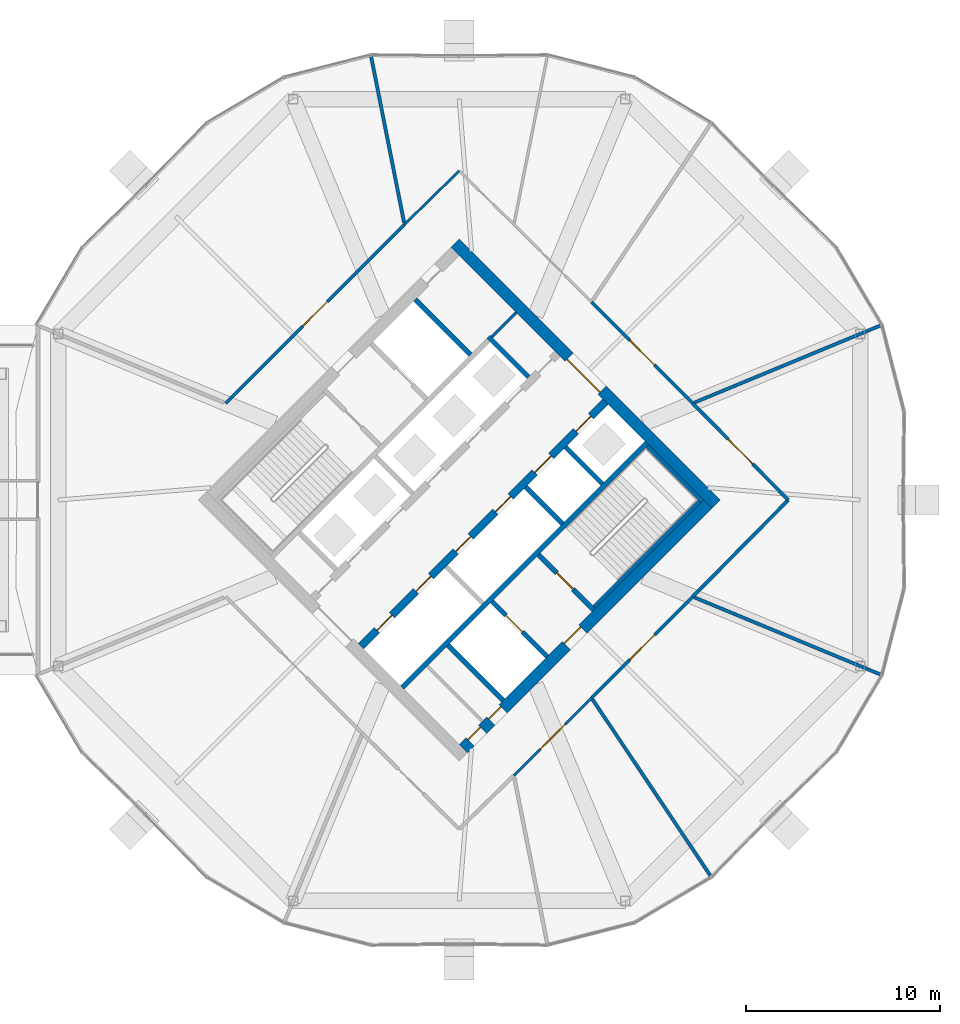
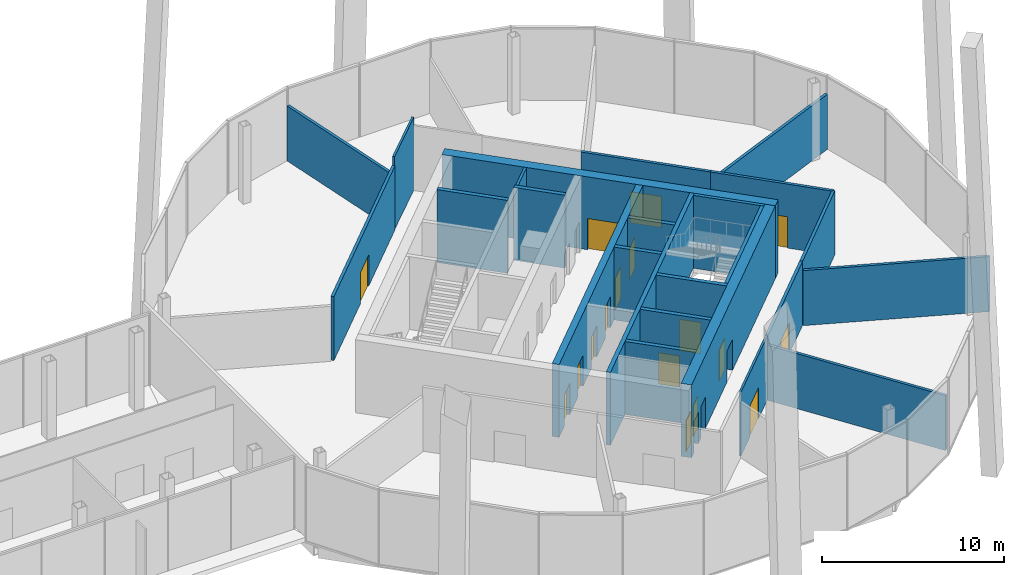
# One storey, part 23 of 28: 25 walls, 17 doors, 17 openings.
"""IFC4 building model written with IfcOpenShell, lengths in metres."""

from ifc_helpers import new_model, si_unit, direction, frame, frame_2d, origin, place, context, subcontext, project, spatial, rectangle, extrude, material, layer, layer_set, type_object, element, fill, save


model = new_model("IFC4")

# Units and contexts
model_context = context("Model", 3, precision=1e-05, world=origin(), true_north=direction((0.0, 1.0)))
body_context = subcontext(model_context, "Body", "Model", "MODEL_VIEW")
ifc_project = project(units=[si_unit("LENGTHUNIT", "METRE"), si_unit("AREAUNIT", "SQUARE_METRE"), si_unit("VOLUMEUNIT", "CUBIC_METRE"), si_unit("PLANEANGLEUNIT", "RADIAN"), si_unit("MASSUNIT", "GRAM", prefix="KILO")], contexts=[model_context])

# Site, building, storey
site_placement = place(None, origin())
site = spatial("IfcSite", under=ifc_project, at=site_placement, CompositionType="ELEMENT")
building_placement = place(site_placement, origin())
building = spatial("IfcBuilding", under=site, at=building_placement, Name="Ogive Gate Towers", CompositionType="ELEMENT")
storey_placement = place(building_placement, frame((0.0, 0.0, 135.60009765625)))
storey = spatial("IfcBuildingStorey", under=building, at=storey_placement, Name="L32", CompositionType="ELEMENT", Elevation=135.60009765625)

# Walls
ifc_material_1 = material(Name="Gypsum board acoustic partition")
ifc_layer_1 = layer(ifc_material_1, 0.175048828125)
ifc_layer_set_1 = layer_set([ifc_layer_1], Name="Acoustic partition 175")
wall_type_1 = type_object("IfcWallType", Name="Acoustic partition 175", PredefinedType="PARTITIONING", material=ifc_layer_set_1)
wall_1_placement = place(storey_placement, frame((57.68359375, 8.9814453125, 0.0), z_axis=(0.0, 0.0, 1.0), x_axis=(-0.923888303382, -0.382662256924, 0.0)))
element("IfcWall", 1, at=wall_1_placement, inside=storey, type_object=wall_type_1, Name="Partition T2-L32-001", PredefinedType="PARTITIONING", context=body_context, shape_type="SweptSolid", body=[
    extrude(rectangle(XDim=10.371337890625, YDim=0.175048828125, at=frame_2d((5.185546875, 0.0))), origin(), (0.0, 0.0, 1.0), 3.699951171875),
])
wall_2_placement = place(storey_placement, frame((31.468017578125, 22.823974609375, 0.0), z_axis=(0.0, 0.0, 1.0), x_axis=(0.194748585068, -0.980853194221, 0.0)))
element("IfcWall", 2, at=wall_2_placement, inside=storey, type_object=wall_type_1, Name="Partition T2-L32-004", PredefinedType="PARTITIONING", context=body_context, shape_type="SweptSolid", body=[
    extrude(rectangle(XDim=8.721435546875, YDim=0.175048828125, at=frame_2d((4.36083984375, 0.0))), origin(), (0.0, 0.0, 1.0), 3.699951171875),
])
wall_3_placement = place(storey_placement, frame((48.934326171875, -19.343505859375, 0.0), z_axis=(0.0, 0.0, 1.0), x_axis=(-0.555865521745, 0.831272230822, 0.0)))
element("IfcWall", 3, at=wall_3_placement, inside=storey, type_object=wall_type_1, Name="Partition T2-L32-009", PredefinedType="PARTITIONING", context=body_context, shape_type="SweptSolid", body=[
    extrude(rectangle(XDim=10.92138671875, YDim=0.175048828125, at=frame_2d((5.460693359375, 0.0))), origin(), (0.0, 0.0, 1.0), 3.699951171875),
])
wall_4_placement = place(storey_placement, frame((57.68359375, -8.9814453125, 0.0), z_axis=(0.0, 0.0, 1.0), x_axis=(-0.923888303382, 0.382662256924, 0.0)))
element("IfcWall", 4, at=wall_4_placement, inside=storey, type_object=wall_type_1, Name="Partition T2-L32-010", PredefinedType="PARTITIONING", context=body_context, shape_type="SweptSolid", body=[
    extrude(rectangle(XDim=10.371337890625, YDim=0.175048828125, at=frame_2d((5.185546875, 0.0))), origin(), (0.0, 0.0, 1.0), 3.699951171875),
])

# Wall, opening, door
wall_5_placement = place(storey_placement, frame((42.81494140625, -10.19189453125, 0.0), z_axis=(0.0, 0.0, 1.0), x_axis=(0.706609507561, 0.707603705349, 0.0)))
wall_5 = element("IfcWall", 5, at=wall_5_placement, inside=storey, type_object=wall_type_1, Name="Partition T2-L32-015", PredefinedType="PARTITIONING", context=body_context, shape_type="SweptSolid", body=[
    extrude(rectangle(XDim=7.366943359375, YDim=0.175048828125, at=frame_2d((3.68359375, 0.0))), origin(), (0.0, 0.0, 1.0), 4.2998046875),
])
opening_1_placement = place(wall_5_placement, frame((2.783935546875, 0.0, 0.0)))
opening_1 = element("IfcOpeningElement", 6, at=opening_1_placement, cuts=wall_5, Name="Opening T2-L32-D04", PredefinedType="OPENING", context=body_context, shape_type="SweptSolid", body=[
    extrude(rectangle(XDim=1.800048828125, YDim=2.10009765625, at=frame_2d((0.89990234375, 1.050048828125))), frame((0.0, 0.09765625, 0.0), z_axis=(0.0, -1.0, 0.0), x_axis=(1.0, 0.0, 0.0)), (0.0, 0.0, 1.0), 0.195068359375),
])
ifc_material_2 = material(Name="Timber door", Category="wood")
door_type_1 = type_object("IfcDoorType", Name="Door pair 1800", OperationType="NOTDEFINED", PredefinedType="DOOR", material=ifc_material_2)
door_1_placement = place(opening_1_placement, origin())
door_1 = element("IfcDoor", 7, at=door_1_placement, inside=storey, type_object=door_type_1, Name="Door T2-L32-D04", OperationType="DOUBLE_DOOR_DOUBLE_SWING", OverallHeight=2.10009765625, OverallWidth=1.800048828125, PredefinedType="DOOR", context=body_context, shape_type="SweptSolid", body=[
    extrude(rectangle(XDim=1.800048828125, YDim=2.10009765625, at=frame_2d((0.89990234375, 1.050048828125))), frame((0.0, 0.02490234375, 0.0), z_axis=(0.0, -1.0, 0.0), x_axis=(1.0, 0.0, 0.0)), (0.0, 0.0, 1.0), 0.050048828125),
])
fill(opening_1, door_1)

wall_6_placement = place(storey_placement, frame((52.9423828125, 0.0, 0.0), z_axis=(0.0, 0.0, 1.0), x_axis=(-0.703015012478, 0.711175008159, 0.0)))
wall_6 = element("IfcWall", 8, at=wall_6_placement, inside=storey, type_object=wall_type_1, Name="Partition T2-L32-016", PredefinedType="PARTITIONING", context=body_context, shape_type="SweptSolid", body=[
    extrude(rectangle(XDim=7.0009765625, YDim=0.175048828125, at=frame_2d((3.50048828125, 0.0))), origin(), (0.0, 0.0, 1.0), 4.2998046875),
])
opening_2_placement = place(wall_6_placement, frame((2.60009765625, 0.0, 0.0)))
opening_2 = element("IfcOpeningElement", 9, at=opening_2_placement, cuts=wall_6, Name="Opening T2-L32-D05", PredefinedType="OPENING", context=body_context, shape_type="SweptSolid", body=[
    extrude(rectangle(XDim=1.800048828125, YDim=2.10009765625, at=frame_2d((0.89990234375, 1.050048828125))), frame((0.0, 0.09765625, 0.0), z_axis=(0.0, -1.0, 0.0), x_axis=(1.0, 0.0, 0.0)), (0.0, 0.0, 1.0), 0.195068359375),
])
door_2_placement = place(opening_2_placement, origin())
door_2 = element("IfcDoor", 10, at=door_2_placement, inside=storey, type_object=door_type_1, Name="Door T2-L32-D05", OperationType="DOUBLE_DOOR_DOUBLE_SWING", OverallHeight=2.10009765625, OverallWidth=1.800048828125, PredefinedType="DOOR", context=body_context, shape_type="SweptSolid", body=[
    extrude(rectangle(XDim=1.800048828125, YDim=2.10009765625, at=frame_2d((0.89990234375, 1.050048828125))), frame((0.0, 0.02490234375, 0.0), z_axis=(0.0, -1.0, 0.0), x_axis=(1.0, 0.0, 0.0)), (0.0, 0.0, 1.0), 0.050048828125),
])
fill(opening_2, door_2)

# Wall
wall_7_placement = place(storey_placement, frame((48.0205078125, -4.97900390625, 0.0), z_axis=(0.0, 0.0, 1.0), x_axis=(0.703015012478, 0.711175008159, 0.0)))
element("IfcWall", 11, at=wall_7_placement, inside=storey, type_object=wall_type_1, Name="Partition T2-L32-017", PredefinedType="PARTITIONING", context=body_context, shape_type="SweptSolid", body=[
    extrude(rectangle(XDim=7.0009765625, YDim=0.175048828125, at=frame_2d((3.50048828125, 0.0))), origin(), (0.0, 0.0, 1.0), 4.2998046875),
])

# Wall, opening, door
wall_8_placement = place(storey_placement, frame((48.0205078125, 4.97900390625, 0.0), z_axis=(0.0, 0.0, 1.0), x_axis=(-0.706609507561, 0.707603705349, 0.0)))
wall_8 = element("IfcWall", 12, at=wall_8_placement, inside=storey, type_object=wall_type_1, Name="Partition T2-L32-018", PredefinedType="PARTITIONING", context=body_context, shape_type="SweptSolid", body=[
    extrude(rectangle(XDim=7.366943359375, YDim=0.175048828125, at=frame_2d((3.68359375, 0.0))), origin(), (0.0, 0.0, 1.0), 4.2998046875),
])
opening_3_placement = place(wall_8_placement, frame((2.783935546875, 0.0, 0.0)))
opening_3 = element("IfcOpeningElement", 13, at=opening_3_placement, cuts=wall_8, Name="Opening T2-L32-D06", PredefinedType="OPENING", context=body_context, shape_type="SweptSolid", body=[
    extrude(rectangle(XDim=1.800048828125, YDim=2.10009765625, at=frame_2d((0.89990234375, 1.050048828125))), frame((0.0, 0.09765625, 0.0), z_axis=(0.0, -1.0, 0.0), x_axis=(1.0, 0.0, 0.0)), (0.0, 0.0, 1.0), 0.195068359375),
])
door_3_placement = place(opening_3_placement, origin())
door_3 = element("IfcDoor", 14, at=door_3_placement, inside=storey, type_object=door_type_1, Name="Door T2-L32-D06", OperationType="DOUBLE_DOOR_DOUBLE_SWING", OverallHeight=2.10009765625, OverallWidth=1.800048828125, PredefinedType="DOOR", context=body_context, shape_type="SweptSolid", body=[
    extrude(rectangle(XDim=1.800048828125, YDim=2.10009765625, at=frame_2d((0.89990234375, 1.050048828125))), frame((0.0, 0.02490234375, 0.0), z_axis=(0.0, -1.0, 0.0), x_axis=(1.0, 0.0, 0.0)), (0.0, 0.0, 1.0), 0.050048828125),
])
fill(opening_3, door_3)

wall_9_placement = place(storey_placement, frame((33.18359375, 14.18359375, 0.0), z_axis=(0.0, 0.0, 1.0), x_axis=(-0.707088025287, -0.707125536588, 0.0)))
wall_9 = element("IfcWall", 15, at=wall_9_placement, inside=storey, type_object=wall_type_1, Name="Partition T2-L32-022", PredefinedType="PARTITIONING", context=body_context, shape_type="SweptSolid", body=[
    extrude(rectangle(XDim=13.016845703125, YDim=0.175048828125, at=frame_2d((6.50830078125, 0.0))), origin(), (0.0, 0.0, 1.0), 4.2998046875),
])
opening_4_placement = place(wall_9_placement, frame((5.60791015625, 0.0, 0.0)))
opening_4 = element("IfcOpeningElement", 16, at=opening_4_placement, cuts=wall_9, Name="Opening T2-L32-D09", PredefinedType="OPENING", context=body_context, shape_type="SweptSolid", body=[
    extrude(rectangle(XDim=1.800048828125, YDim=2.10009765625, at=frame_2d((0.89990234375, 1.050048828125))), frame((0.0, 0.09765625, 0.0), z_axis=(0.0, -1.0, 0.0), x_axis=(1.0, 0.0, 0.0)), (0.0, 0.0, 1.0), 0.195068359375),
])
door_4_placement = place(opening_4_placement, origin())
door_4 = element("IfcDoor", 17, at=door_4_placement, inside=storey, type_object=door_type_1, Name="Door T2-L32-D09", OperationType="DOUBLE_DOOR_DOUBLE_SWING", OverallHeight=2.10009765625, OverallWidth=1.800048828125, PredefinedType="DOOR", context=body_context, shape_type="SweptSolid", body=[
    extrude(rectangle(XDim=1.800048828125, YDim=2.10009765625, at=frame_2d((0.89990234375, 1.050048828125))), frame((0.0, 0.02490234375, 0.0), z_axis=(0.0, -1.0, 0.0), x_axis=(1.0, 0.0, 0.0)), (0.0, 0.0, 1.0), 0.050048828125),
])
fill(opening_4, door_4)

# Wall, openings, doors
ifc_material_3 = material(Name="Concrete C60/75", Category="concrete")
ifc_layer_2 = layer(ifc_material_3, 0.60009765625)
ifc_layer_set_2 = layer_set([ifc_layer_2], Name="Core wall 600 mm")
wall_type_2 = type_object("IfcWallType", Name="Core wall 600 mm", PredefinedType="SHEAR", material=ifc_layer_set_2)
wall_10_placement = place(storey_placement, frame((36.212158203125, -12.798583984375, 0.0), z_axis=(0.0, 0.0, 1.0), x_axis=(0.707106781187, 0.707106781187, 0.0)))
wall_10 = element("IfcWall", 18, at=wall_10_placement, inside=storey, type_object=wall_type_2, Name="T2 L32 Core wall 600 mm", PredefinedType="SHEAR", context=body_context, shape_type="SweptSolid", body=[
    extrude(rectangle(XDim=17.7998046875, YDim=0.60009765625, at=frame_2d((8.89990234375, 0.0))), origin(), (0.0, 0.0, 1.0), 4.89990234375),
])
opening_5_placement = place(wall_10_placement, frame((7.5, 0.0, 0.0)))
opening_5 = element("IfcOpeningElement", 19, at=opening_5_placement, cuts=wall_10, Name="Opening KD-T2-L32-21", PredefinedType="OPENING", context=body_context, shape_type="SweptSolid", body=[
    extrude(rectangle(XDim=1.199951171875, YDim=2.10009765625, at=frame_2d((0.60009765625, 1.050048828125))), frame((0.0, 0.31005859375, 0.0), z_axis=(0.0, -1.0, 0.0), x_axis=(1.0, 0.0, 0.0)), (0.0, 0.0, 1.0), 0.6201171875),
])
opening_6_placement = place(wall_10_placement, frame((0.5, 0.0, 0.0)))
opening_6 = element("IfcOpeningElement", 20, at=opening_6_placement, cuts=wall_10, Name="Opening KD-T2-L32-23", PredefinedType="OPENING", context=body_context, shape_type="SweptSolid", body=[
    extrude(rectangle(XDim=0.89990234375, YDim=2.10009765625, at=frame_2d((0.449951171875, 1.050048828125))), frame((0.0, 0.31005859375, 0.0), z_axis=(0.0, -1.0, 0.0), x_axis=(1.0, 0.0, 0.0)), (0.0, 0.0, 1.0), 0.6201171875),
])
opening_7_placement = place(wall_10_placement, frame((2.0, 0.0, 0.0)))
opening_7 = element("IfcOpeningElement", 21, at=opening_7_placement, cuts=wall_10, Name="Opening KD-T2-L32-24", PredefinedType="OPENING", context=body_context, shape_type="SweptSolid", body=[
    extrude(rectangle(XDim=0.89990234375, YDim=2.10009765625, at=frame_2d((0.449951171875, 1.050048828125))), frame((0.0, 0.31005859375, 0.0), z_axis=(0.0, -1.0, 0.0), x_axis=(1.0, 0.0, 0.0)), (0.0, 0.0, 1.0), 0.6201171875),
])
door_type_2 = type_object("IfcDoorType", Name="Core WC door 900 x 2100", OperationType="NOTDEFINED", PredefinedType="DOOR", material=ifc_material_2)
door_5_placement = place(opening_6_placement, origin())
door_5 = element("IfcDoor", 22, at=door_5_placement, inside=storey, type_object=door_type_2, Name="T2 L32 Core door", OperationType="SINGLE_SWING_RIGHT", OverallHeight=2.10009765625, OverallWidth=0.89990234375, PredefinedType="DOOR", context=body_context, shape_type="SweptSolid", body=[
    extrude(rectangle(XDim=0.89990234375, YDim=2.10009765625, at=frame_2d((0.449951171875, 1.050048828125))), frame((0.0, 0.1748046875, 0.0), z_axis=(0.0, -1.0, 0.0), x_axis=(1.0, 0.0, 0.0)), (0.0, 0.0, 1.0), 0.050048828125),
])
fill(opening_6, door_5)
door_6_placement = place(opening_7_placement, origin())
door_6 = element("IfcDoor", 23, at=door_6_placement, inside=storey, type_object=door_type_2, Name="T2 L32 Core door", OperationType="SINGLE_SWING_LEFT", OverallHeight=2.10009765625, OverallWidth=0.89990234375, PredefinedType="DOOR", context=body_context, shape_type="SweptSolid", body=[
    extrude(rectangle(XDim=0.89990234375, YDim=2.10009765625, at=frame_2d((0.449951171875, 1.050048828125))), frame((0.0, 0.1748046875, 0.0), z_axis=(0.0, -1.0, 0.0), x_axis=(1.0, 0.0, 0.0)), (0.0, 0.0, 1.0), 0.050048828125),
])
fill(opening_7, door_6)
ifc_material_4 = material(Name="Steel fire door", Category="steel")
door_type_3 = type_object("IfcDoorType", Name="Core door FD60S 1200 x 2100", OperationType="NOTDEFINED", PredefinedType="DOOR", material=ifc_material_4)
door_7_placement = place(opening_5_placement, origin())
door_7 = element("IfcDoor", 24, at=door_7_placement, inside=storey, type_object=door_type_3, Name="T2 L32 Fire-fighting lobby door", OperationType="SINGLE_SWING_RIGHT", OverallHeight=2.10009765625, OverallWidth=1.199951171875, PredefinedType="DOOR", context=body_context, shape_type="SweptSolid", body=[
    extrude(rectangle(XDim=1.199951171875, YDim=2.10009765625, at=frame_2d((0.60009765625, 1.050048828125))), frame((0.0, 0.1748046875, 0.0), z_axis=(0.0, -1.0, 0.0), x_axis=(1.0, 0.0, 0.0)), (0.0, 0.0, 1.0), 0.050048828125),
])
fill(opening_5, door_7)

# Wall, opening, door
wall_11_placement = place(storey_placement, frame((49.222900390625, -0.212158203125, 0.0), z_axis=(0.0, 0.0, 1.0), x_axis=(-0.707106781187, 0.707106781187, 0.0)))
wall_11 = element("IfcWall", 25, at=wall_11_placement, inside=storey, type_object=wall_type_2, Name="T2 L32 Core wall 600 mm", PredefinedType="SHEAR", context=body_context, shape_type="SweptSolid", body=[
    extrude(rectangle(XDim=19.0, YDim=0.60009765625, at=frame_2d((9.5, 0.0))), origin(), (0.0, 0.0, 1.0), 4.89990234375),
])
opening_8_placement = place(wall_11_placement, frame((8.300048828125, 0.0, 0.0)))
opening_8 = element("IfcOpeningElement", 26, at=opening_8_placement, cuts=wall_11, Name="Opening KD-T2-L32-02", PredefinedType="OPENING", context=body_context, shape_type="SweptSolid", body=[
    extrude(rectangle(XDim=2.39990234375, YDim=2.10009765625, at=frame_2d((1.199951171875, 1.050048828125))), frame((0.0, 0.31005859375, 0.0), z_axis=(0.0, -1.0, 0.0), x_axis=(1.0, 0.0, 0.0)), (0.0, 0.0, 1.0), 0.6201171875),
])
door_type_4 = type_object("IfcDoorType", Name="Core double door FD60S 2400 x 2100", OperationType="DOUBLE_DOOR_SINGLE_SWING", PredefinedType="DOOR", material=ifc_material_4)
door_8_placement = place(opening_8_placement, origin())
door_8 = element("IfcDoor", 27, at=door_8_placement, inside=storey, type_object=door_type_4, Name="T2 L32 Core door double", OperationType="DOUBLE_DOOR_SINGLE_SWING", OverallHeight=2.10009765625, OverallWidth=2.39990234375, PredefinedType="DOOR", context=body_context, shape_type="SweptSolid", body=[
    extrude(rectangle(XDim=2.39990234375, YDim=2.10009765625, at=frame_2d((1.199951171875, 1.050048828125))), frame((0.0, 0.1748046875, 0.0), z_axis=(0.0, -1.0, 0.0), x_axis=(1.0, 0.0, 0.0)), (0.0, 0.0, 1.0), 0.050048828125),
])
fill(opening_8, door_8)

ifc_material_5 = material(Name="Gypsum board partition")
ifc_layer_3 = layer(ifc_material_5, 0.125)
ifc_layer_set_3 = layer_set([ifc_layer_3], Name="Partition 125")
wall_type_3 = type_object("IfcWallType", Name="Partition 125", PredefinedType="PARTITIONING", material=ifc_layer_set_3)
wall_12_placement = place(storey_placement, frame((38.81640625, -14.18359375, 0.0), z_axis=(0.0, 0.0, 1.0), x_axis=(0.707711477876, 0.706501566936, 0.0)))
wall_12 = element("IfcWall", 28, at=wall_12_placement, inside=storey, type_object=wall_type_3, Name="Partition T2-L32-014", PredefinedType="PARTITIONING", context=body_context, shape_type="SweptSolid", body=[
    extrude(rectangle(XDim=5.64990234375, YDim=0.125, at=frame_2d((2.824951171875, 0.0))), origin(), (0.0, 0.0, 1.0), 4.2998046875),
])
opening_9_placement = place(wall_12_placement, frame((1.925048828125, 0.0, 0.0)))
opening_9 = element("IfcOpeningElement", 29, at=opening_9_placement, cuts=wall_12, Name="Opening T2-L32-D03", PredefinedType="OPENING", context=body_context, shape_type="SweptSolid", body=[
    extrude(rectangle(XDim=1.800048828125, YDim=2.10009765625, at=frame_2d((0.89990234375, 1.050048828125))), frame((0.0, 0.072509765625, 0.0), z_axis=(0.0, -1.0, 0.0), x_axis=(1.0, 0.0, 0.0)), (0.0, 0.0, 1.0), 0.14501953125),
])
door_9_placement = place(opening_9_placement, origin())
door_9 = element("IfcDoor", 30, at=door_9_placement, inside=storey, type_object=door_type_1, Name="Door T2-L32-D03", OperationType="DOUBLE_DOOR_DOUBLE_SWING", OverallHeight=2.10009765625, OverallWidth=1.800048828125, PredefinedType="DOOR", context=body_context, shape_type="SweptSolid", body=[
    extrude(rectangle(XDim=1.800048828125, YDim=2.10009765625, at=frame_2d((0.89990234375, 1.050048828125))), frame((0.0, 0.02490234375, 0.0), z_axis=(0.0, -1.0, 0.0), x_axis=(1.0, 0.0, 0.0)), (0.0, 0.0, 1.0), 0.050048828125),
])
fill(opening_9, door_9)

# Walls
wall_13_placement = place(storey_placement, frame((36.0, 16.9423828125, 0.0), z_axis=(0.0, 0.0, 1.0), x_axis=(-0.714376270478, -0.699761776734, 0.0)))
element("IfcWall", 31, at=wall_13_placement, inside=storey, type_object=wall_type_3, Name="Partition T2-L32-021", PredefinedType="PARTITIONING", context=body_context, shape_type="SweptSolid", body=[
    extrude(rectangle(XDim=3.9423828125, YDim=0.125, at=frame_2d((1.97119140625, 0.0))), origin(), (0.0, 0.0, 1.0), 4.89990234375),
])
ifc_layer_4 = layer(ifc_material_5, 0.14990234375)
ifc_layer_set_4 = layer_set([ifc_layer_4], Name="Room partition 150 mm")
wall_type_4 = type_object("IfcWallType", Name="Room partition 150 mm", PredefinedType="PARTITIONING", material=ifc_layer_set_4)
wall_14_placement = place(storey_placement, frame((37.679443359375, 8.39697265625, 0.0), z_axis=(0.0, 0.0, 1.0), x_axis=(0.707106781187, 0.707106781187, 0.0)))
element("IfcWall", 32, at=wall_14_placement, inside=storey, type_object=wall_type_4, Name="T2 L32 Room partition 150 mm", PredefinedType="PARTITIONING", context=body_context, shape_type="SweptSolid", body=[
    extrude(rectangle(XDim=1.77490234375, YDim=0.14990234375, at=frame_2d((0.887451171875, 0.0))), origin(), (0.0, 0.0, 1.0), 4.89990234375),
])
ifc_layer_5 = layer(ifc_material_3, 0.25)
ifc_layer_set_5 = layer_set([ifc_layer_5], Name="Shaft wall 250 mm")
wall_type_5 = type_object("IfcWallType", Name="Shaft wall 250 mm", PredefinedType="SHEAR", material=ifc_layer_set_5)
wall_15_placement = place(storey_placement, frame((33.0654296875, -9.652099609375, 0.0), z_axis=(0.0, 0.0, 1.0), x_axis=(0.707106781187, 0.707106781187, 0.0)))
element("IfcWall", 33, at=wall_15_placement, inside=storey, type_object=wall_type_5, Name="T2 L32 Shaft wall 250 mm", PredefinedType="SHEAR", context=body_context, shape_type="SweptSolid", body=[
    extrude(rectangle(XDim=17.80029296875, YDim=0.25, at=frame_2d((8.900146484375, 0.0))), origin(), (0.0, 0.0, 1.0), 4.89990234375),
])
wall_16_placement = place(storey_placement, frame((38.2626953125, -10.32373046875, 0.0), z_axis=(0.0, 0.0, 1.0), x_axis=(-0.707137108942, 0.70707645213, 0.0)))
element("IfcWall", 34, at=wall_16_placement, inside=storey, type_object=wall_type_5, Name="T2 L32 Shaft wall 250 mm", PredefinedType="SHEAR", context=body_context, shape_type="SweptSolid", body=[
    extrude(rectangle(XDim=4.02490234375, YDim=0.25, at=frame_2d((2.012451171875, 0.0))), origin(), (0.0, 0.0, 1.0), 4.89990234375),
])

# Wall, opening, door
wall_17_placement = place(storey_placement, frame((40.525390625, -8.06103515625, 0.0), z_axis=(0.0, 0.0, 1.0), x_axis=(-0.70707645213, 0.707137108942, 0.0)))
wall_17 = element("IfcWall", 35, at=wall_17_placement, inside=storey, type_object=wall_type_5, Name="T2 L32 Shaft wall 250 mm", PredefinedType="SHEAR", context=body_context, shape_type="SweptSolid", body=[
    extrude(rectangle(XDim=4.02490234375, YDim=0.25, at=frame_2d((2.012451171875, 0.0))), origin(), (0.0, 0.0, 1.0), 4.89990234375),
])
opening_10_placement = place(wall_17_placement, frame((1.800048828125, 0.0, 0.0)))
opening_10 = element("IfcOpeningElement", 36, at=opening_10_placement, cuts=wall_17, Name="Opening LD-T2-L32-17", PredefinedType="OPENING", context=body_context, shape_type="SweptSolid", body=[
    extrude(rectangle(XDim=1.199951171875, YDim=2.10009765625, at=frame_2d((0.60009765625, 1.050048828125))), frame((0.0, 0.135009765625, 0.0), z_axis=(0.0, -1.0, 0.0), x_axis=(1.0, 0.0, 0.0)), (0.0, 0.0, 1.0), 0.27001953125),
])
ifc_material_6 = material(Name="Stainless steel landing door", Category="steel")
door_type_5 = type_object("IfcDoorType", Name="Landing door 1200 x 2100", OperationType="SLIDING_TO_LEFT", PredefinedType="DOOR", material=ifc_material_6)
door_10_placement = place(opening_10_placement, origin())
door_10 = element("IfcDoor", 37, at=door_10_placement, inside=storey, type_object=door_type_5, Name="T2 L32 Lift landing door FF2", OperationType="SLIDING_TO_LEFT", OverallHeight=2.10009765625, OverallWidth=1.199951171875, PredefinedType="DOOR", context=body_context, shape_type="SweptSolid", body=[
    extrude(rectangle(XDim=1.199951171875, YDim=2.10009765625, at=frame_2d((0.60009765625, 1.050048828125))), frame((0.0, 0.02490234375, 0.0), z_axis=(0.0, -1.0, 0.0), x_axis=(1.0, 0.0, 0.0)), (0.0, 0.0, 1.0), 0.050048828125),
])
fill(opening_10, door_10)

wall_18_placement = place(storey_placement, frame((42.9296875, -5.656982421875, 0.0), z_axis=(0.0, 0.0, 1.0), x_axis=(-0.707106781187, 0.707106781187, 0.0)))
wall_18 = element("IfcWall", 38, at=wall_18_placement, inside=storey, type_object=wall_type_5, Name="T2 L32 Shaft wall 250 mm", PredefinedType="SHEAR", context=body_context, shape_type="SweptSolid", body=[
    extrude(rectangle(XDim=4.025146484375, YDim=0.25, at=frame_2d((2.0126953125, 0.0))), origin(), (0.0, 0.0, 1.0), 4.89990234375),
])
opening_11_placement = place(wall_18_placement, frame((1.5, 0.0, 0.0)))
opening_11 = element("IfcOpeningElement", 39, at=opening_11_placement, cuts=wall_18, Name="Opening KD-T2-L32-19", PredefinedType="OPENING", context=body_context, shape_type="SweptSolid", body=[
    extrude(rectangle(XDim=1.199951171875, YDim=2.10009765625, at=frame_2d((0.60009765625, 1.050048828125))), frame((0.0, 0.135009765625, 0.0), z_axis=(0.0, -1.0, 0.0), x_axis=(1.0, 0.0, 0.0)), (0.0, 0.0, 1.0), 0.27001953125),
])
door_11_placement = place(opening_11_placement, origin())
door_11 = element("IfcDoor", 40, at=door_11_placement, inside=storey, type_object=door_type_3, Name="T2 L32 Stair door", OperationType="SINGLE_SWING_RIGHT", OverallHeight=2.10009765625, OverallWidth=1.199951171875, PredefinedType="DOOR", context=body_context, shape_type="SweptSolid", body=[
    extrude(rectangle(XDim=1.199951171875, YDim=2.10009765625, at=frame_2d((0.60009765625, 1.050048828125))), frame((0.0, 0.02490234375, 0.0), z_axis=(0.0, -1.0, 0.0), x_axis=(1.0, 0.0, 0.0)), (0.0, 0.0, 1.0), 0.050048828125),
])
fill(opening_11, door_11)

# Walls
wall_19_placement = place(storey_placement, frame((41.321044921875, -1.2197265625, 0.0), z_axis=(0.0, 0.0, 1.0), x_axis=(-0.707106781187, 0.707106781187, 0.0)))
element("IfcWall", 41, at=wall_19_placement, inside=storey, type_object=wall_type_5, Name="T2 L32 Shaft wall 250 mm", PredefinedType="SHEAR", context=body_context, shape_type="SweptSolid", body=[
    extrude(rectangle(XDim=2.675048828125, YDim=0.25, at=frame_2d((1.33740234375, 0.0))), origin(), (0.0, 0.0, 1.0), 4.89990234375),
])
wall_20_placement = place(storey_placement, frame((36.58349609375, 7.477783203125, 0.0), z_axis=(0.0, 0.0, 1.0), x_axis=(-0.707137108942, 0.70707645213, 0.0)))
element("IfcWall", 42, at=wall_20_placement, inside=storey, type_object=wall_type_5, Name="T2 L32 Shaft wall 250 mm", PredefinedType="SHEAR", context=body_context, shape_type="SweptSolid", body=[
    extrude(rectangle(XDim=4.02490234375, YDim=0.25, at=frame_2d((2.012451171875, 0.0))), origin(), (0.0, 0.0, 1.0), 4.89990234375),
])
wall_21_placement = place(storey_placement, frame((43.37158203125, 0.830810546875, 0.0), z_axis=(0.0, 0.0, 1.0), x_axis=(-0.707106781187, 0.707106781187, 0.0)))
element("IfcWall", 43, at=wall_21_placement, inside=storey, type_object=wall_type_5, Name="T2 L32 Shaft wall 250 mm", PredefinedType="SHEAR", context=body_context, shape_type="SweptSolid", body=[
    extrude(rectangle(XDim=2.675048828125, YDim=0.25, at=frame_2d((1.33740234375, 0.0))), origin(), (0.0, 0.0, 1.0), 4.89990234375),
])
wall_22_placement = place(storey_placement, frame((39.57080078125, 6.32861328125, 0.0), z_axis=(0.0, 0.0, 1.0), x_axis=(-0.707065045505, 0.707148514405, 0.0)))
element("IfcWall", 44, at=wall_22_placement, inside=storey, type_object=wall_type_5, Name="T2 L32 Shaft wall 250 mm", PredefinedType="SHEAR", context=body_context, shape_type="SweptSolid", body=[
    extrude(rectangle(XDim=2.925048828125, YDim=0.25, at=frame_2d((1.46240234375, 0.0))), origin(), (0.0, 0.0, 1.0), 4.89990234375),
])

# Wall, openings, doors
ifc_layer_6 = layer(ifc_material_3, 0.39990234375)
ifc_layer_set_6 = layer_set([ifc_layer_6], Name="Spine wall 400 mm")
wall_type_6 = type_object("IfcWallType", Name="Spine wall 400 mm", PredefinedType="SHEAR", material=ifc_layer_set_6)
wall_23_placement = place(storey_placement, frame((30.944091796875, -7.53076171875, 0.0), z_axis=(0.0, 0.0, 1.0), x_axis=(0.707106781187, 0.707106781187, 0.0)))
wall_23 = element("IfcWall", 45, at=wall_23_placement, inside=storey, type_object=wall_type_6, Name="T2 L32 Spine wall 400 mm", PredefinedType="SHEAR", context=body_context, shape_type="SweptSolid", body=[
    extrude(rectangle(XDim=17.80029296875, YDim=0.39990234375, at=frame_2d((8.900146484375, 0.0))), origin(), (0.0, 0.0, 1.0), 4.89990234375),
])
opening_12_placement = place(wall_23_placement, frame((1.16259765625, 0.0, 0.0)))
opening_12 = element("IfcOpeningElement", 46, at=opening_12_placement, cuts=wall_23, Name="Opening LD-T2-L32-10", PredefinedType="OPENING", context=body_context, shape_type="SweptSolid", body=[
    extrude(rectangle(XDim=1.10009765625, YDim=2.10009765625, at=frame_2d((0.550048828125, 1.050048828125))), frame((0.0, 0.2099609375, 0.0), z_axis=(0.0, -1.0, 0.0), x_axis=(1.0, 0.0, 0.0)), (0.0, 0.0, 1.0), 0.419921875),
])
opening_13_placement = place(wall_23_placement, frame((4.0, 0.0, 0.0)))
opening_13 = element("IfcOpeningElement", 47, at=opening_13_placement, cuts=wall_23, Name="Opening LD-T2-L32-11", PredefinedType="OPENING", context=body_context, shape_type="SweptSolid", body=[
    extrude(rectangle(XDim=1.10009765625, YDim=2.10009765625, at=frame_2d((0.550048828125, 1.050048828125))), frame((0.0, 0.2099609375, 0.0), z_axis=(0.0, -1.0, 0.0), x_axis=(1.0, 0.0, 0.0)), (0.0, 0.0, 1.0), 0.419921875),
])
opening_14_placement = place(wall_23_placement, frame((6.89990234375, 0.0, 0.0)))
opening_14 = element("IfcOpeningElement", 48, at=opening_14_placement, cuts=wall_23, Name="Opening LD-T2-L32-12", PredefinedType="OPENING", context=body_context, shape_type="SweptSolid", body=[
    extrude(rectangle(XDim=1.10009765625, YDim=2.10009765625, at=frame_2d((0.550048828125, 1.050048828125))), frame((0.0, 0.2099609375, 0.0), z_axis=(0.0, -1.0, 0.0), x_axis=(1.0, 0.0, 0.0)), (0.0, 0.0, 1.0), 0.419921875),
])
opening_15_placement = place(wall_23_placement, frame((9.800048828125, 0.0, 0.0)))
opening_15 = element("IfcOpeningElement", 49, at=opening_15_placement, cuts=wall_23, Name="Opening LD-T2-L32-13", PredefinedType="OPENING", context=body_context, shape_type="SweptSolid", body=[
    extrude(rectangle(XDim=1.10009765625, YDim=2.10009765625, at=frame_2d((0.550048828125, 1.050048828125))), frame((0.0, 0.2099609375, 0.0), z_axis=(0.0, -1.0, 0.0), x_axis=(1.0, 0.0, 0.0)), (0.0, 0.0, 1.0), 0.419921875),
])
opening_16_placement = place(wall_23_placement, frame((12.64990234375, 0.0, 0.0)))
opening_16 = element("IfcOpeningElement", 50, at=opening_16_placement, cuts=wall_23, Name="Opening LD-T2-L32-14", PredefinedType="OPENING", context=body_context, shape_type="SweptSolid", body=[
    extrude(rectangle(XDim=1.199951171875, YDim=2.10009765625, at=frame_2d((0.60009765625, 1.050048828125))), frame((0.0, 0.2099609375, 0.0), z_axis=(0.0, -1.0, 0.0), x_axis=(1.0, 0.0, 0.0)), (0.0, 0.0, 1.0), 0.419921875),
])
opening_17_placement = place(wall_23_placement, frame((15.64990234375, 0.0, 0.0)))
opening_17 = element("IfcOpeningElement", 51, at=opening_17_placement, cuts=wall_23, Name="Opening LD-T2-L32-15", PredefinedType="OPENING", context=body_context, shape_type="SweptSolid", body=[
    extrude(rectangle(XDim=1.10009765625, YDim=2.10009765625, at=frame_2d((0.550048828125, 1.050048828125))), frame((0.0, 0.2099609375, 0.0), z_axis=(0.0, -1.0, 0.0), x_axis=(1.0, 0.0, 0.0)), (0.0, 0.0, 1.0), 0.419921875),
])
door_type_6 = type_object("IfcDoorType", Name="Landing door 1100 x 2100", OperationType="SLIDING_TO_LEFT", PredefinedType="DOOR", material=ifc_material_6)
door_12_placement = place(opening_12_placement, origin())
door_12 = element("IfcDoor", 52, at=door_12_placement, inside=storey, type_object=door_type_6, Name="T2 L32 Lift landing door S1", OperationType="SLIDING_TO_LEFT", OverallHeight=2.10009765625, OverallWidth=1.10009765625, PredefinedType="DOOR", context=body_context, shape_type="SweptSolid", body=[
    extrude(rectangle(XDim=1.10009765625, YDim=2.10009765625, at=frame_2d((0.550048828125, 1.050048828125))), frame((0.0, 0.02490234375, 0.0), z_axis=(0.0, -1.0, 0.0), x_axis=(1.0, 0.0, 0.0)), (0.0, 0.0, 1.0), 0.050048828125),
])
fill(opening_12, door_12)
door_13_placement = place(opening_13_placement, origin())
door_13 = element("IfcDoor", 53, at=door_13_placement, inside=storey, type_object=door_type_6, Name="T2 L32 Lift landing door S2", OperationType="SLIDING_TO_LEFT", OverallHeight=2.10009765625, OverallWidth=1.10009765625, PredefinedType="DOOR", context=body_context, shape_type="SweptSolid", body=[
    extrude(rectangle(XDim=1.10009765625, YDim=2.10009765625, at=frame_2d((0.550048828125, 1.050048828125))), frame((0.0, 0.02490234375, 0.0), z_axis=(0.0, -1.0, 0.0), x_axis=(1.0, 0.0, 0.0)), (0.0, 0.0, 1.0), 0.050048828125),
])
fill(opening_13, door_13)
door_14_placement = place(opening_14_placement, origin())
door_14 = element("IfcDoor", 54, at=door_14_placement, inside=storey, type_object=door_type_6, Name="T2 L32 Lift landing door S3", OperationType="SLIDING_TO_LEFT", OverallHeight=2.10009765625, OverallWidth=1.10009765625, PredefinedType="DOOR", context=body_context, shape_type="SweptSolid", body=[
    extrude(rectangle(XDim=1.10009765625, YDim=2.10009765625, at=frame_2d((0.550048828125, 1.050048828125))), frame((0.0, 0.02490234375, 0.0), z_axis=(0.0, -1.0, 0.0), x_axis=(1.0, 0.0, 0.0)), (0.0, 0.0, 1.0), 0.050048828125),
])
fill(opening_14, door_14)
door_15_placement = place(opening_15_placement, origin())
door_15 = element("IfcDoor", 55, at=door_15_placement, inside=storey, type_object=door_type_6, Name="T2 L32 Lift landing door S4", OperationType="SLIDING_TO_LEFT", OverallHeight=2.10009765625, OverallWidth=1.10009765625, PredefinedType="DOOR", context=body_context, shape_type="SweptSolid", body=[
    extrude(rectangle(XDim=1.10009765625, YDim=2.10009765625, at=frame_2d((0.550048828125, 1.050048828125))), frame((0.0, 0.02490234375, 0.0), z_axis=(0.0, -1.0, 0.0), x_axis=(1.0, 0.0, 0.0)), (0.0, 0.0, 1.0), 0.050048828125),
])
fill(opening_15, door_15)
door_16_placement = place(opening_17_placement, origin())
door_16 = element("IfcDoor", 56, at=door_16_placement, inside=storey, type_object=door_type_6, Name="T2 L32 Lift landing door B6", OperationType="SLIDING_TO_LEFT", OverallHeight=2.10009765625, OverallWidth=1.10009765625, PredefinedType="DOOR", context=body_context, shape_type="SweptSolid", body=[
    extrude(rectangle(XDim=1.10009765625, YDim=2.10009765625, at=frame_2d((0.550048828125, 1.050048828125))), frame((0.0, 0.02490234375, 0.0), z_axis=(0.0, -1.0, 0.0), x_axis=(1.0, 0.0, 0.0)), (0.0, 0.0, 1.0), 0.050048828125),
])
fill(opening_17, door_16)
door_17_placement = place(opening_16_placement, origin())
door_17 = element("IfcDoor", 57, at=door_17_placement, inside=storey, type_object=door_type_5, Name="T2 L32 Lift landing door SVC", OperationType="SLIDING_TO_LEFT", OverallHeight=2.10009765625, OverallWidth=1.199951171875, PredefinedType="DOOR", context=body_context, shape_type="SweptSolid", body=[
    extrude(rectangle(XDim=1.199951171875, YDim=2.10009765625, at=frame_2d((0.60009765625, 1.050048828125))), frame((0.0, 0.02490234375, 0.0), z_axis=(0.0, -1.0, 0.0), x_axis=(1.0, 0.0, 0.0)), (0.0, 0.0, 1.0), 0.050048828125),
])
fill(opening_16, door_17)

# Walls
ifc_layer_7 = layer(ifc_material_3, 0.199951171875)
ifc_layer_set_7 = layer_set([ifc_layer_7], Name="Stair wall 200 mm")
wall_type_7 = type_object("IfcWallType", Name="Stair wall 200 mm", PredefinedType="SHEAR", material=ifc_layer_set_7)
wall_24_placement = place(storey_placement, frame((42.947265625, -5.497802734375, 0.0), z_axis=(0.0, 0.0, 1.0), x_axis=(0.707122685701, 0.707090876314, 0.0)))
element("IfcWall", 58, at=wall_24_placement, inside=storey, type_object=wall_type_7, Name="T2 L32 Stair wall 200 mm", PredefinedType="SHEAR", context=body_context, shape_type="SweptSolid", body=[
    extrude(rectangle(XDim=7.675048828125, YDim=0.199951171875, at=frame_2d((3.83740234375, 0.0))), origin(), (0.0, 0.0, 1.0), 4.89990234375),
])
wall_25_placement = place(storey_placement, frame((48.515869140625, -0.07080078125, 0.0), z_axis=(0.0, 0.0, 1.0), x_axis=(-0.707106781187, 0.707106781187, 0.0)))
element("IfcWall", 59, at=wall_25_placement, inside=storey, type_object=wall_type_7, Name="T2 L32 Stair wall 200 mm", PredefinedType="SHEAR", context=body_context, shape_type="SweptSolid", body=[
    extrude(rectangle(XDim=4.025146484375, YDim=0.199951171875, at=frame_2d((2.0126953125, 0.0))), origin(), (0.0, 0.0, 1.0), 4.89990234375),
])

save(model, "model.ifc")
